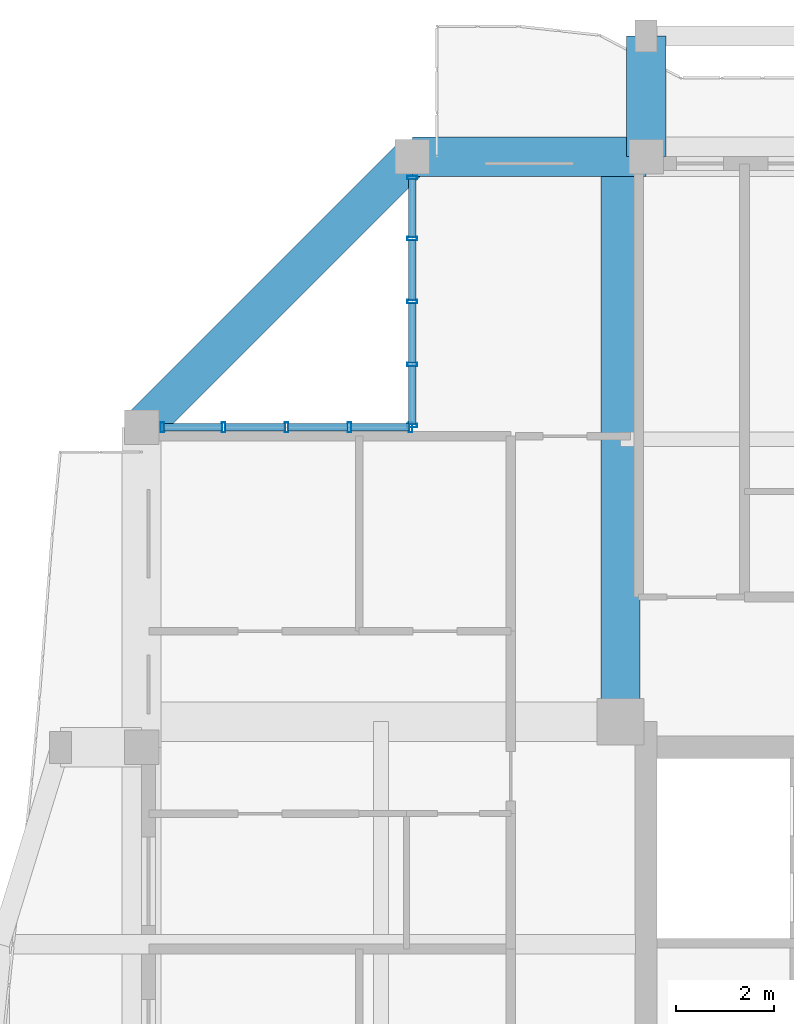
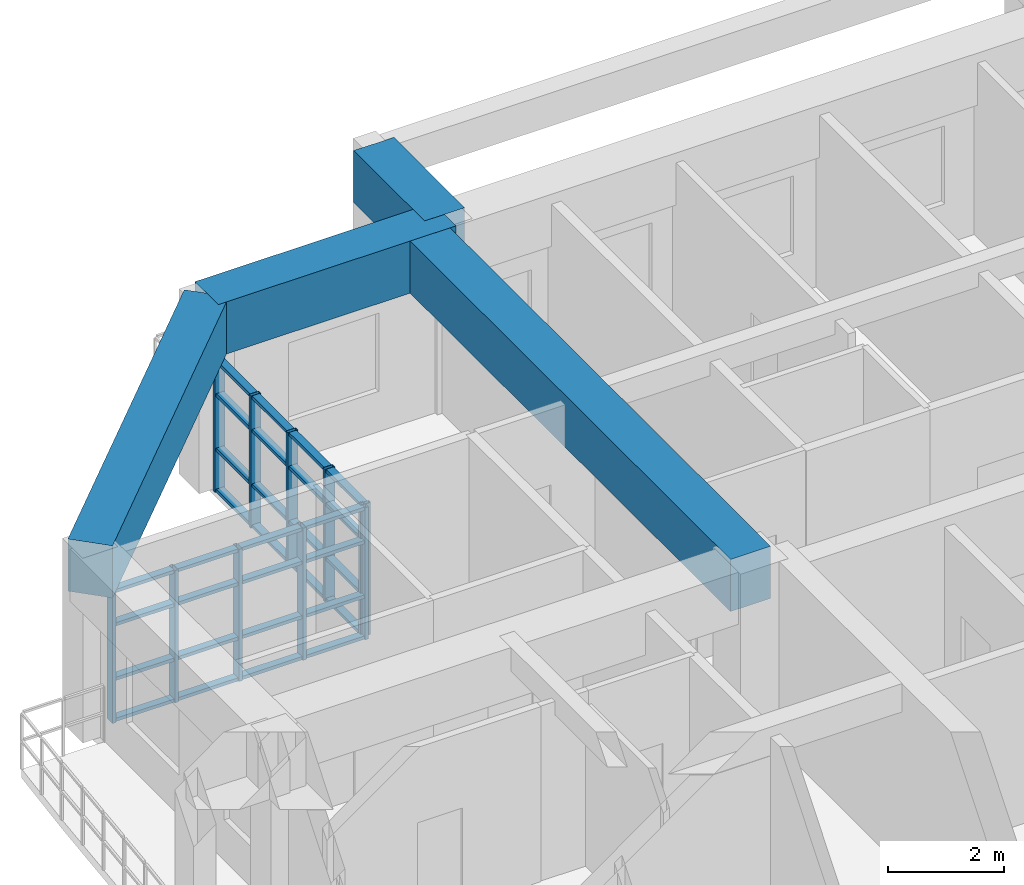
# One storey, part 8 of 27: 42 members, 4 beams, 2 elements without a shape of their own.
"""IFC4 building model written with IfcOpenShell, lengths in metres."""

from ifc_helpers import new_model, si_unit, direction, frame, origin, origin_2d, place, context, subcontext, project, spatial, rectangle, hollow_rectangle, extrude, source, transform, mapped, material, layer, layer_set, material_profile, profile_set, type_object, element, aggregate, save


model = new_model("IFC4")

# Units and contexts
model_context = context("Model", 3, precision=1e-05, world=origin(), true_north=direction((0.0, 1.0)))
body_context = subcontext(model_context, "Body", "Model", "MODEL_VIEW")
ifc_project = project(units=[si_unit("LENGTHUNIT", "METRE"), si_unit("AREAUNIT", "SQUARE_METRE"), si_unit("VOLUMEUNIT", "CUBIC_METRE"), si_unit("PLANEANGLEUNIT", "RADIAN"), si_unit("MASSUNIT", "GRAM", prefix="KILO")], contexts=[model_context])

# Site, building, storey
site_placement = place(None, origin())
site = spatial("IfcSite", under=ifc_project, at=site_placement, CompositionType="ELEMENT")
building_placement = place(site_placement, origin())
building = spatial("IfcBuilding", under=site, at=building_placement, Name="Saelheon Loggia Tower", CompositionType="ELEMENT")
storey_placement = place(building_placement, frame((0.0, 0.0, 226.199951171875)))
storey = spatial("IfcBuildingStorey", under=building, at=storey_placement, Name="L70", CompositionType="ELEMENT", Elevation=226.199951171875)

# Beams
ifc_material_1 = material(Name="Concrete C50/60", Category="concrete")
ifc_material_profile_1 = material_profile(ifc_material_1, rectangle(XDim=0.800048828125, YDim=1.10009765625, at=origin_2d()), Name="RC-800x1100")
ifc_profile_set_1 = profile_set([ifc_material_profile_1], Name="Concrete C50/60")
beam_type_1 = type_object("IfcBeamType", Name="Beam_SetbackTransfer_RC800x1100", PredefinedType="BEAM", material=ifc_profile_set_1)
shared_shape_1 = source(origin(), body_context, "Body", "SweptSolid", [
    extrude(rectangle(XDim=0.800048828125, YDim=1.10009765625, at=origin_2d()), origin(), (0.0, 0.0, 1.0), 11.47998046875),
])
beam_1_placement = place(storey_placement, frame((30.97998046875, 36.52001953125, 3.35009765625), z_axis=(0.0, 1.0, 0.0), x_axis=(-1.0, 0.0, 0.0)))
element("IfcBeam", 1, at=beam_1_placement, inside=storey, type_object=beam_type_1, Name="L70 Radial Floor Girder RAD-NW-N", PredefinedType="BEAM", context=body_context, shape_type="MappedRepresentation", body=[
    mapped(shared_shape_1, transform((0.0, 0.0, 0.0), scale=1.0)),
])
ifc_material_profile_2 = material_profile(ifc_material_1, rectangle(XDim=0.800048828125, YDim=1.10009765625, at=origin_2d()), Name="RC-800x1100")
ifc_profile_set_2 = profile_set([ifc_material_profile_2], Name="Concrete C50/60")
beam_type_2 = type_object("IfcBeamType", Name="Beam_PerimSetback_RC800x1100", PredefinedType="BEAM", material=ifc_profile_set_2)
shared_shape_2 = source(origin(), body_context, "Body", "SweptSolid", [
    extrude(rectangle(XDim=0.800048828125, YDim=1.10009765625, at=origin_2d()), origin(), (0.0, 0.0, 1.0), 2.449951171875),
])
beam_2_placement = place(storey_placement, frame((31.5, 48.0, 3.35009765625), z_axis=(0.0, 1.0, 0.0), x_axis=(-1.0, 0.0, 0.0)))
element("IfcBeam", 2, at=beam_2_placement, inside=storey, type_object=beam_type_2, Name="L70 Loggia Frame Tie Beam LP-N1", PredefinedType="BEAM", context=body_context, shape_type="MappedRepresentation", body=[
    mapped(shared_shape_2, transform((0.0, 0.0, 0.0), scale=1.0)),
])
shared_shape_3 = source(origin(), body_context, "Body", "SweptSolid", [
    extrude(rectangle(XDim=0.800048828125, YDim=1.10009765625, at=origin_2d()), origin(), (0.0, 0.0, 1.0), 7.778076171875),
])
beam_3_placement = place(storey_placement, frame((26.75, 48.0, 3.35009765625), z_axis=(-0.707106781187, -0.707106781187, 0.0), x_axis=(0.707106781187, -0.707106781187, 0.0)))
element("IfcBeam", 3, at=beam_3_placement, inside=storey, type_object=beam_type_2, Name="L70 Perimeter Frame Girder 12", PredefinedType="BEAM", context=body_context, shape_type="MappedRepresentation", body=[
    mapped(shared_shape_3, transform((0.0, 0.0, 0.0), scale=1.0)),
])
shared_shape_4 = source(origin(), body_context, "Body", "SweptSolid", [
    extrude(rectangle(XDim=0.800048828125, YDim=1.10009765625, at=origin_2d()), origin(), (0.0, 0.0, 1.0), 4.75),
])
beam_4_placement = place(storey_placement, frame((31.5, 48.0, 3.35009765625), z_axis=(-1.0, 0.0, 0.0), x_axis=(0.0, -1.0, 0.0)))
element("IfcBeam", 4, at=beam_4_placement, inside=storey, type_object=beam_type_2, Name="L70 Perimeter Frame Girder 11", PredefinedType="BEAM", context=body_context, shape_type="MappedRepresentation", body=[
    mapped(shared_shape_4, transform((0.0, 0.0, 0.0), scale=1.0)),
])

# Curtain wall, members
ifc_material_2 = material(Name="High-Wind Aluminium and Triple Laminated Glass", Category="aluminium")
ifc_layer = layer(ifc_material_2, 0.179931640625)
ifc_layer_set = layer_set([ifc_layer], Name="High-Wind Aluminium and Triple Laminated Glass")
curtain_wall_type = type_object("IfcCurtainWallType", Name="CW_TowerLoggiaHigh", PredefinedType="NOTDEFINED", material=ifc_layer_set)
curtain_wall_1_placement = place(storey_placement, origin())
curtain_wall_1 = element("IfcCurtainWall", 5, at=curtain_wall_1_placement, inside=storey, type_object=curtain_wall_type, Name="L70 Corner Notch Glazing NW1", PredefinedType="NOTDEFINED")
ifc_material_3 = material(Name="Anodised Aluminium 6063-T6", Category="aluminium")
ifc_material_profile_3 = material_profile(ifc_material_3, hollow_rectangle(XDim=0.070068359375, YDim=0.14990234375, WallThickness=0.0048828125, at=origin_2d()), Name="RHS-150x70x5")
ifc_profile_set_3 = profile_set([ifc_material_profile_3], Name="Anodised Aluminium 6063-T6")
member_type_1 = type_object("IfcMemberType", Name="CW_TowerLoggiaHigh_Transom", PredefinedType="USERDEFINED", material=ifc_profile_set_3)
shared_shape_5 = source(origin(), body_context, "Body", "SweptSolid", [
    extrude(hollow_rectangle(XDim=0.070068359375, YDim=0.14990234375, WallThickness=0.0048828125, at=origin_2d()), origin(), (0.0, 0.0, 1.0), 1.172607421875),
])
member_1_placement = place(storey_placement, frame((26.75, 46.367431640625, 0.03515625), z_axis=(0.0, 1.0, 0.0), x_axis=(0.0, 0.0, 1.0)))
member_1 = element("IfcMember", 6, at=member_1_placement, type_object=member_type_1, Name="CW4 transom 4.1", ObjectType="TRANSOM", PredefinedType="USERDEFINED", context=body_context, shape_type="MappedRepresentation", body=[
    mapped(shared_shape_5, transform((0.0, 0.0, 0.0), scale=1.0)),
])
member_2_placement = place(storey_placement, frame((26.75, 46.367431640625, 0.900146484375), z_axis=(0.0, 1.0, 0.0), x_axis=(0.0, 0.0, 1.0)))
member_2 = element("IfcMember", 7, at=member_2_placement, type_object=member_type_1, Name="CW4 transom 4.2", ObjectType="TRANSOM", PredefinedType="USERDEFINED", context=body_context, shape_type="MappedRepresentation", body=[
    mapped(shared_shape_5, transform((0.0, 0.0, 0.0), scale=1.0)),
])
member_3_placement = place(storey_placement, frame((26.75, 46.367431640625, 2.050048828125), z_axis=(0.0, 1.0, 0.0), x_axis=(0.0, 0.0, 1.0)))
member_3 = element("IfcMember", 8, at=member_3_placement, type_object=member_type_1, Name="CW4 transom 4.3", ObjectType="TRANSOM", PredefinedType="USERDEFINED", context=body_context, shape_type="MappedRepresentation", body=[
    mapped(shared_shape_5, transform((0.0, 0.0, 0.0), scale=1.0)),
])
member_4_placement = place(storey_placement, frame((26.75, 46.367431640625, 2.755126953125), z_axis=(0.0, 1.0, 0.0), x_axis=(0.0, 0.0, 1.0)))
member_4 = element("IfcMember", 9, at=member_4_placement, type_object=member_type_1, Name="CW4 transom 4.4", ObjectType="TRANSOM", PredefinedType="USERDEFINED", context=body_context, shape_type="MappedRepresentation", body=[
    mapped(shared_shape_5, transform((0.0, 0.0, 0.0), scale=1.0)),
])

curtain_wall_2_placement = place(storey_placement, origin())
curtain_wall_2 = element("IfcCurtainWall", 10, at=curtain_wall_2_placement, inside=storey, type_object=curtain_wall_type, Name="L70 Corner Notch Glazing NW2", PredefinedType="NOTDEFINED")
member_5_placement = place(storey_placement, frame((21.7099609375, 42.5, 0.03515625), z_axis=(1.0, 0.0, 0.0), x_axis=(0.0, 0.0, 1.0)))
member_5 = element("IfcMember", 11, at=member_5_placement, type_object=member_type_1, Name="CW4 transom 1.1", ObjectType="TRANSOM", PredefinedType="USERDEFINED", context=body_context, shape_type="MappedRepresentation", body=[
    mapped(shared_shape_5, transform((0.0, 0.0, 0.0), scale=1.0)),
])
member_6_placement = place(storey_placement, frame((21.7099609375, 42.5, 0.900146484375), z_axis=(1.0, 0.0, 0.0), x_axis=(0.0, 0.0, 1.0)))
member_6 = element("IfcMember", 12, at=member_6_placement, type_object=member_type_1, Name="CW4 transom 1.2", ObjectType="TRANSOM", PredefinedType="USERDEFINED", context=body_context, shape_type="MappedRepresentation", body=[
    mapped(shared_shape_5, transform((0.0, 0.0, 0.0), scale=1.0)),
])
member_7_placement = place(storey_placement, frame((21.7099609375, 42.5, 2.050048828125), z_axis=(1.0, 0.0, 0.0), x_axis=(0.0, 0.0, 1.0)))
member_7 = element("IfcMember", 13, at=member_7_placement, type_object=member_type_1, Name="CW4 transom 1.3", ObjectType="TRANSOM", PredefinedType="USERDEFINED", context=body_context, shape_type="MappedRepresentation", body=[
    mapped(shared_shape_5, transform((0.0, 0.0, 0.0), scale=1.0)),
])
member_8_placement = place(storey_placement, frame((21.7099609375, 42.5, 2.755126953125), z_axis=(1.0, 0.0, 0.0), x_axis=(0.0, 0.0, 1.0)))
member_8 = element("IfcMember", 14, at=member_8_placement, type_object=member_type_1, Name="CW4 transom 1.4", ObjectType="TRANSOM", PredefinedType="USERDEFINED", context=body_context, shape_type="MappedRepresentation", body=[
    mapped(shared_shape_5, transform((0.0, 0.0, 0.0), scale=1.0)),
])

# Member
shared_shape_6 = source(origin(), body_context, "Body", "SweptSolid", [
    extrude(hollow_rectangle(XDim=0.070068359375, YDim=0.14990234375, WallThickness=0.0048828125, at=origin_2d()), origin(), (0.0, 0.0, 1.0), 1.20751953125),
])
member_9_placement = place(storey_placement, frame((26.75, 43.8125, 0.03515625), z_axis=(0.0, 1.0, 0.0), x_axis=(0.0, 0.0, 1.0)))
member_9 = element("IfcMember", 15, at=member_9_placement, type_object=member_type_1, Name="CW4 transom 2.1", ObjectType="TRANSOM", PredefinedType="USERDEFINED", context=body_context, shape_type="MappedRepresentation", body=[
    mapped(shared_shape_6, transform((0.0, 0.0, 0.0), scale=1.0)),
])

member_10_placement = place(storey_placement, frame((26.75, 43.8125, 0.900146484375), z_axis=(0.0, 1.0, 0.0), x_axis=(0.0, 0.0, 1.0)))
member_10 = element("IfcMember", 16, at=member_10_placement, type_object=member_type_1, Name="CW4 transom 2.2", ObjectType="TRANSOM", PredefinedType="USERDEFINED", context=body_context, shape_type="MappedRepresentation", body=[
    mapped(shared_shape_6, transform((0.0, 0.0, 0.0), scale=1.0)),
])

member_11_placement = place(storey_placement, frame((26.75, 43.8125, 2.050048828125), z_axis=(0.0, 1.0, 0.0), x_axis=(0.0, 0.0, 1.0)))
member_11 = element("IfcMember", 17, at=member_11_placement, type_object=member_type_1, Name="CW4 transom 2.3", ObjectType="TRANSOM", PredefinedType="USERDEFINED", context=body_context, shape_type="MappedRepresentation", body=[
    mapped(shared_shape_6, transform((0.0, 0.0, 0.0), scale=1.0)),
])

member_12_placement = place(storey_placement, frame((26.75, 43.8125, 2.755126953125), z_axis=(0.0, 1.0, 0.0), x_axis=(0.0, 0.0, 1.0)))
member_12 = element("IfcMember", 18, at=member_12_placement, type_object=member_type_1, Name="CW4 transom 2.4", ObjectType="TRANSOM", PredefinedType="USERDEFINED", context=body_context, shape_type="MappedRepresentation", body=[
    mapped(shared_shape_6, transform((0.0, 0.0, 0.0), scale=1.0)),
])

member_13_placement = place(storey_placement, frame((26.75, 45.090087890625, 0.03515625), z_axis=(0.0, 1.0, 0.0), x_axis=(0.0, 0.0, 1.0)))
member_13 = element("IfcMember", 19, at=member_13_placement, type_object=member_type_1, Name="CW4 transom 3.1", ObjectType="TRANSOM", PredefinedType="USERDEFINED", context=body_context, shape_type="MappedRepresentation", body=[
    mapped(shared_shape_6, transform((0.0, 0.0, 0.0), scale=1.0)),
])

member_14_placement = place(storey_placement, frame((26.75, 45.090087890625, 0.900146484375), z_axis=(0.0, 1.0, 0.0), x_axis=(0.0, 0.0, 1.0)))
member_14 = element("IfcMember", 20, at=member_14_placement, type_object=member_type_1, Name="CW4 transom 3.2", ObjectType="TRANSOM", PredefinedType="USERDEFINED", context=body_context, shape_type="MappedRepresentation", body=[
    mapped(shared_shape_6, transform((0.0, 0.0, 0.0), scale=1.0)),
])

member_15_placement = place(storey_placement, frame((26.75, 45.090087890625, 2.050048828125), z_axis=(0.0, 1.0, 0.0), x_axis=(0.0, 0.0, 1.0)))
member_15 = element("IfcMember", 21, at=member_15_placement, type_object=member_type_1, Name="CW4 transom 3.3", ObjectType="TRANSOM", PredefinedType="USERDEFINED", context=body_context, shape_type="MappedRepresentation", body=[
    mapped(shared_shape_6, transform((0.0, 0.0, 0.0), scale=1.0)),
])

member_16_placement = place(storey_placement, frame((26.75, 45.090087890625, 2.755126953125), z_axis=(0.0, 1.0, 0.0), x_axis=(0.0, 0.0, 1.0)))
member_16 = element("IfcMember", 22, at=member_16_placement, type_object=member_type_1, Name="CW4 transom 3.4", ObjectType="TRANSOM", PredefinedType="USERDEFINED", context=body_context, shape_type="MappedRepresentation", body=[
    mapped(shared_shape_6, transform((0.0, 0.0, 0.0), scale=1.0)),
])

member_17_placement = place(storey_placement, frame((22.952392578125, 42.5, 0.03515625), z_axis=(1.0, 0.0, 0.0), x_axis=(0.0, 0.0, 1.0)))
member_17 = element("IfcMember", 23, at=member_17_placement, type_object=member_type_1, Name="CW4 transom 2.1", ObjectType="TRANSOM", PredefinedType="USERDEFINED", context=body_context, shape_type="MappedRepresentation", body=[
    mapped(shared_shape_6, transform((0.0, 0.0, 0.0), scale=1.0)),
])

member_18_placement = place(storey_placement, frame((22.952392578125, 42.5, 0.900146484375), z_axis=(1.0, 0.0, 0.0), x_axis=(0.0, 0.0, 1.0)))
member_18 = element("IfcMember", 24, at=member_18_placement, type_object=member_type_1, Name="CW4 transom 2.2", ObjectType="TRANSOM", PredefinedType="USERDEFINED", context=body_context, shape_type="MappedRepresentation", body=[
    mapped(shared_shape_6, transform((0.0, 0.0, 0.0), scale=1.0)),
])

member_19_placement = place(storey_placement, frame((22.952392578125, 42.5, 2.050048828125), z_axis=(1.0, 0.0, 0.0), x_axis=(0.0, 0.0, 1.0)))
member_19 = element("IfcMember", 25, at=member_19_placement, type_object=member_type_1, Name="CW4 transom 2.3", ObjectType="TRANSOM", PredefinedType="USERDEFINED", context=body_context, shape_type="MappedRepresentation", body=[
    mapped(shared_shape_6, transform((0.0, 0.0, 0.0), scale=1.0)),
])

member_20_placement = place(storey_placement, frame((22.952392578125, 42.5, 2.755126953125), z_axis=(1.0, 0.0, 0.0), x_axis=(0.0, 0.0, 1.0)))
member_20 = element("IfcMember", 26, at=member_20_placement, type_object=member_type_1, Name="CW4 transom 2.4", ObjectType="TRANSOM", PredefinedType="USERDEFINED", context=body_context, shape_type="MappedRepresentation", body=[
    mapped(shared_shape_6, transform((0.0, 0.0, 0.0), scale=1.0)),
])

member_21_placement = place(storey_placement, frame((24.22998046875, 42.5, 0.03515625), z_axis=(1.0, 0.0, 0.0), x_axis=(0.0, 0.0, 1.0)))
member_21 = element("IfcMember", 27, at=member_21_placement, type_object=member_type_1, Name="CW4 transom 3.1", ObjectType="TRANSOM", PredefinedType="USERDEFINED", context=body_context, shape_type="MappedRepresentation", body=[
    mapped(shared_shape_6, transform((0.0, 0.0, 0.0), scale=1.0)),
])

member_22_placement = place(storey_placement, frame((24.22998046875, 42.5, 0.900146484375), z_axis=(1.0, 0.0, 0.0), x_axis=(0.0, 0.0, 1.0)))
member_22 = element("IfcMember", 28, at=member_22_placement, type_object=member_type_1, Name="CW4 transom 3.2", ObjectType="TRANSOM", PredefinedType="USERDEFINED", context=body_context, shape_type="MappedRepresentation", body=[
    mapped(shared_shape_6, transform((0.0, 0.0, 0.0), scale=1.0)),
])

member_23_placement = place(storey_placement, frame((24.22998046875, 42.5, 2.050048828125), z_axis=(1.0, 0.0, 0.0), x_axis=(0.0, 0.0, 1.0)))
member_23 = element("IfcMember", 29, at=member_23_placement, type_object=member_type_1, Name="CW4 transom 3.3", ObjectType="TRANSOM", PredefinedType="USERDEFINED", context=body_context, shape_type="MappedRepresentation", body=[
    mapped(shared_shape_6, transform((0.0, 0.0, 0.0), scale=1.0)),
])

member_24_placement = place(storey_placement, frame((24.22998046875, 42.5, 2.755126953125), z_axis=(1.0, 0.0, 0.0), x_axis=(0.0, 0.0, 1.0)))
member_24 = element("IfcMember", 30, at=member_24_placement, type_object=member_type_1, Name="CW4 transom 3.4", ObjectType="TRANSOM", PredefinedType="USERDEFINED", context=body_context, shape_type="MappedRepresentation", body=[
    mapped(shared_shape_6, transform((0.0, 0.0, 0.0), scale=1.0)),
])

shared_shape_7 = source(origin(), body_context, "Body", "SweptSolid", [
    extrude(hollow_rectangle(XDim=0.070068359375, YDim=0.14990234375, WallThickness=0.0048828125, at=origin_2d()), origin(), (0.0, 0.0, 1.0), 1.17236328125),
])
member_25_placement = place(storey_placement, frame((26.75, 42.570068359375, 0.03515625), z_axis=(0.0, 1.0, 0.0), x_axis=(0.0, 0.0, 1.0)))
member_25 = element("IfcMember", 31, at=member_25_placement, type_object=member_type_1, Name="CW4 transom 1.1", ObjectType="TRANSOM", PredefinedType="USERDEFINED", context=body_context, shape_type="MappedRepresentation", body=[
    mapped(shared_shape_7, transform((0.0, 0.0, 0.0), scale=1.0)),
])

member_26_placement = place(storey_placement, frame((26.75, 42.570068359375, 0.900146484375), z_axis=(0.0, 1.0, 0.0), x_axis=(0.0, 0.0, 1.0)))
member_26 = element("IfcMember", 32, at=member_26_placement, type_object=member_type_1, Name="CW4 transom 1.2", ObjectType="TRANSOM", PredefinedType="USERDEFINED", context=body_context, shape_type="MappedRepresentation", body=[
    mapped(shared_shape_7, transform((0.0, 0.0, 0.0), scale=1.0)),
])

member_27_placement = place(storey_placement, frame((26.75, 42.570068359375, 2.050048828125), z_axis=(0.0, 1.0, 0.0), x_axis=(0.0, 0.0, 1.0)))
member_27 = element("IfcMember", 33, at=member_27_placement, type_object=member_type_1, Name="CW4 transom 1.3", ObjectType="TRANSOM", PredefinedType="USERDEFINED", context=body_context, shape_type="MappedRepresentation", body=[
    mapped(shared_shape_7, transform((0.0, 0.0, 0.0), scale=1.0)),
])

member_28_placement = place(storey_placement, frame((26.75, 42.570068359375, 2.755126953125), z_axis=(0.0, 1.0, 0.0), x_axis=(0.0, 0.0, 1.0)))
member_28 = element("IfcMember", 34, at=member_28_placement, type_object=member_type_1, Name="CW4 transom 1.4", ObjectType="TRANSOM", PredefinedType="USERDEFINED", context=body_context, shape_type="MappedRepresentation", body=[
    mapped(shared_shape_7, transform((0.0, 0.0, 0.0), scale=1.0)),
])

member_29_placement = place(storey_placement, frame((25.507568359375, 42.5, 0.03515625), z_axis=(1.0, 0.0, 0.0), x_axis=(0.0, 0.0, 1.0)))
member_29 = element("IfcMember", 35, at=member_29_placement, type_object=member_type_1, Name="CW4 transom 4.1", ObjectType="TRANSOM", PredefinedType="USERDEFINED", context=body_context, shape_type="MappedRepresentation", body=[
    mapped(shared_shape_7, transform((0.0, 0.0, 0.0), scale=1.0)),
])

member_30_placement = place(storey_placement, frame((25.507568359375, 42.5, 0.900146484375), z_axis=(1.0, 0.0, 0.0), x_axis=(0.0, 0.0, 1.0)))
member_30 = element("IfcMember", 36, at=member_30_placement, type_object=member_type_1, Name="CW4 transom 4.2", ObjectType="TRANSOM", PredefinedType="USERDEFINED", context=body_context, shape_type="MappedRepresentation", body=[
    mapped(shared_shape_7, transform((0.0, 0.0, 0.0), scale=1.0)),
])

member_31_placement = place(storey_placement, frame((25.507568359375, 42.5, 2.050048828125), z_axis=(1.0, 0.0, 0.0), x_axis=(0.0, 0.0, 1.0)))
member_31 = element("IfcMember", 37, at=member_31_placement, type_object=member_type_1, Name="CW4 transom 4.3", ObjectType="TRANSOM", PredefinedType="USERDEFINED", context=body_context, shape_type="MappedRepresentation", body=[
    mapped(shared_shape_7, transform((0.0, 0.0, 0.0), scale=1.0)),
])

member_32_placement = place(storey_placement, frame((25.507568359375, 42.5, 2.755126953125), z_axis=(1.0, 0.0, 0.0), x_axis=(0.0, 0.0, 1.0)))
member_32 = element("IfcMember", 38, at=member_32_placement, type_object=member_type_1, Name="CW4 transom 4.4", ObjectType="TRANSOM", PredefinedType="USERDEFINED", context=body_context, shape_type="MappedRepresentation", body=[
    mapped(shared_shape_7, transform((0.0, 0.0, 0.0), scale=1.0)),
])

ifc_material_profile_4 = material_profile(ifc_material_3, hollow_rectangle(XDim=0.070068359375, YDim=0.199951171875, WallThickness=0.0048828125, at=origin_2d()), Name="RHS-200x70x5")
ifc_profile_set_4 = profile_set([ifc_material_profile_4], Name="Anodised Aluminium 6063-T6")
member_type_2 = type_object("IfcMemberType", Name="CW_TowerLoggiaHigh_Mullion", PredefinedType="MULLION", material=ifc_profile_set_4)
shared_shape_8 = source(origin(), body_context, "Body", "SweptSolid", [
    extrude(hollow_rectangle(XDim=0.070068359375, YDim=0.199951171875, WallThickness=0.0048828125, at=origin_2d()), origin(), (0.0, 0.0, 1.0), 2.7900390625),
])
member_33_placement = place(storey_placement, frame((26.75, 42.534912109375, 0.0), z_axis=(0.0, 0.0, 1.0), x_axis=(0.0, 1.0, 0.0)))
member_33 = element("IfcMember", 39, at=member_33_placement, type_object=member_type_2, Name="CW4 mullion 1", PredefinedType="MULLION", context=body_context, shape_type="MappedRepresentation", body=[
    mapped(shared_shape_8, transform((0.0, 0.0, 0.0), scale=1.0)),
])

member_34_placement = place(storey_placement, frame((26.75, 43.777587890625, 0.0), z_axis=(0.0, 0.0, 1.0), x_axis=(0.0, 1.0, 0.0)))
member_34 = element("IfcMember", 40, at=member_34_placement, type_object=member_type_2, Name="CW4 mullion 2", PredefinedType="MULLION", context=body_context, shape_type="MappedRepresentation", body=[
    mapped(shared_shape_8, transform((0.0, 0.0, 0.0), scale=1.0)),
])

member_35_placement = place(storey_placement, frame((26.75, 45.054931640625, 0.0), z_axis=(0.0, 0.0, 1.0), x_axis=(0.0, 1.0, 0.0)))
member_35 = element("IfcMember", 41, at=member_35_placement, type_object=member_type_2, Name="CW4 mullion 3", PredefinedType="MULLION", context=body_context, shape_type="MappedRepresentation", body=[
    mapped(shared_shape_8, transform((0.0, 0.0, 0.0), scale=1.0)),
])

member_36_placement = place(storey_placement, frame((26.75, 46.33251953125, 0.0), z_axis=(0.0, 0.0, 1.0), x_axis=(0.0, 1.0, 0.0)))
member_36 = element("IfcMember", 42, at=member_36_placement, type_object=member_type_2, Name="CW4 mullion 4", PredefinedType="MULLION", context=body_context, shape_type="MappedRepresentation", body=[
    mapped(shared_shape_8, transform((0.0, 0.0, 0.0), scale=1.0)),
])

member_37_placement = place(storey_placement, frame((26.75, 47.574951171875, 0.0), z_axis=(0.0, 0.0, 1.0), x_axis=(0.0, 1.0, 0.0)))
member_37 = element("IfcMember", 43, at=member_37_placement, type_object=member_type_2, Name="CW4 mullion 5", PredefinedType="MULLION", context=body_context, shape_type="MappedRepresentation", body=[
    mapped(shared_shape_8, transform((0.0, 0.0, 0.0), scale=1.0)),
])

aggregate(curtain_wall_1, [member_33, member_34, member_35, member_36, member_37, member_25, member_26, member_27, member_28, member_9, member_10, member_11, member_12, member_13, member_14, member_15, member_16, member_1, member_2, member_3, member_4])

member_38_placement = place(storey_placement, frame((21.675048828125, 42.5, 0.0), z_axis=(0.0, 0.0, 1.0), x_axis=(1.0, 0.0, 0.0)))
member_38 = element("IfcMember", 44, at=member_38_placement, type_object=member_type_2, Name="CW4 mullion 1", PredefinedType="MULLION", context=body_context, shape_type="MappedRepresentation", body=[
    mapped(shared_shape_8, transform((0.0, 0.0, 0.0), scale=1.0)),
])

member_39_placement = place(storey_placement, frame((22.91748046875, 42.5, 0.0), z_axis=(0.0, 0.0, 1.0), x_axis=(1.0, 0.0, 0.0)))
member_39 = element("IfcMember", 45, at=member_39_placement, type_object=member_type_2, Name="CW4 mullion 2", PredefinedType="MULLION", context=body_context, shape_type="MappedRepresentation", body=[
    mapped(shared_shape_8, transform((0.0, 0.0, 0.0), scale=1.0)),
])

member_40_placement = place(storey_placement, frame((24.195068359375, 42.5, 0.0), z_axis=(0.0, 0.0, 1.0), x_axis=(1.0, 0.0, 0.0)))
member_40 = element("IfcMember", 46, at=member_40_placement, type_object=member_type_2, Name="CW4 mullion 3", PredefinedType="MULLION", context=body_context, shape_type="MappedRepresentation", body=[
    mapped(shared_shape_8, transform((0.0, 0.0, 0.0), scale=1.0)),
])

member_41_placement = place(storey_placement, frame((25.472412109375, 42.5, 0.0), z_axis=(0.0, 0.0, 1.0), x_axis=(1.0, 0.0, 0.0)))
member_41 = element("IfcMember", 47, at=member_41_placement, type_object=member_type_2, Name="CW4 mullion 4", PredefinedType="MULLION", context=body_context, shape_type="MappedRepresentation", body=[
    mapped(shared_shape_8, transform((0.0, 0.0, 0.0), scale=1.0)),
])

member_42_placement = place(storey_placement, frame((26.715087890625, 42.5, 0.0), z_axis=(0.0, 0.0, 1.0), x_axis=(1.0, 0.0, 0.0)))
member_42 = element("IfcMember", 48, at=member_42_placement, type_object=member_type_2, Name="CW4 mullion 5", PredefinedType="MULLION", context=body_context, shape_type="MappedRepresentation", body=[
    mapped(shared_shape_8, transform((0.0, 0.0, 0.0), scale=1.0)),
])

aggregate(curtain_wall_2, [member_38, member_39, member_40, member_41, member_42, member_5, member_6, member_7, member_8, member_17, member_18, member_19, member_20, member_21, member_22, member_23, member_24, member_29, member_30, member_31, member_32])

save(model, "model.ifc")
